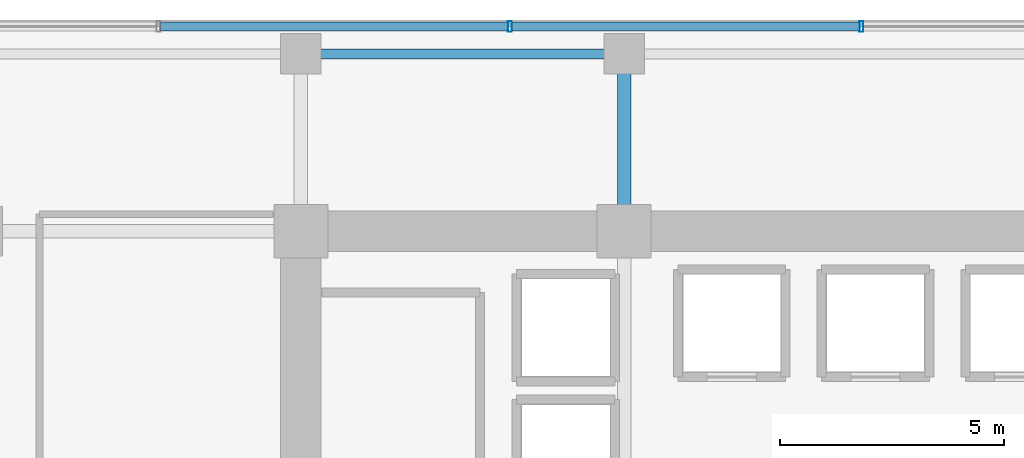
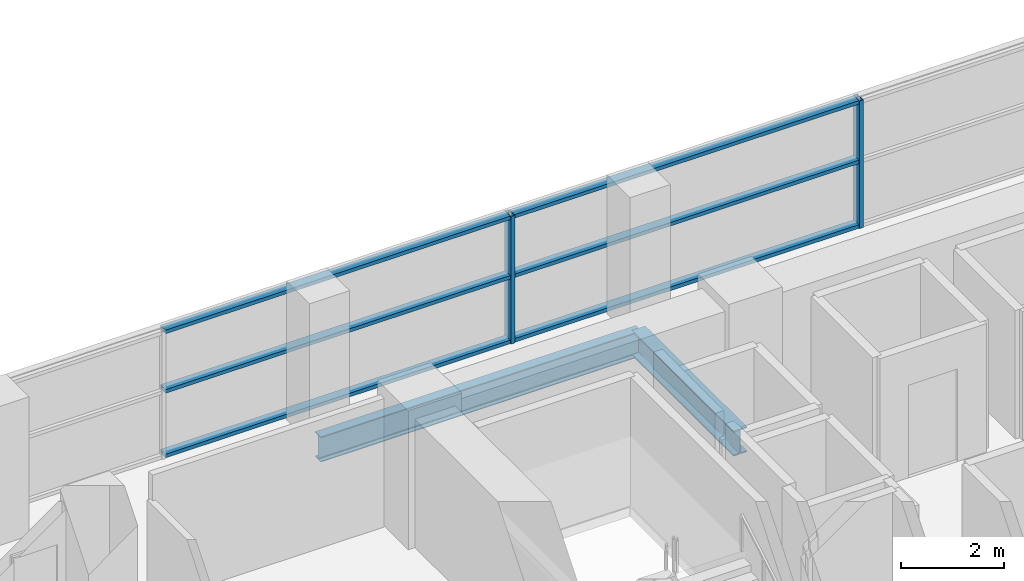
# One storey, part 14 of 27: 8 members, 2 beams, 1 element without a shape of its own.
"""IFC4 building model written with IfcOpenShell, lengths in metres."""

from ifc_helpers import new_model, si_unit, direction, frame, origin, origin_2d, place, context, subcontext, project, spatial, hollow_rectangle, i_section, extrude, source, transform, mapped, material, layer, layer_set, material_profile, profile_set, type_object, element, aggregate, save


model = new_model("IFC4")

# Units and contexts
model_context = context("Model", 3, precision=1e-05, world=origin(), true_north=direction((0.0, 1.0)))
body_context = subcontext(model_context, "Body", "Model", "MODEL_VIEW")
ifc_project = project(units=[si_unit("LENGTHUNIT", "METRE"), si_unit("AREAUNIT", "SQUARE_METRE"), si_unit("VOLUMEUNIT", "CUBIC_METRE"), si_unit("PLANEANGLEUNIT", "RADIAN"), si_unit("MASSUNIT", "GRAM", prefix="KILO")], contexts=[model_context])

# Site, building, storey
site_placement = place(None, origin())
site = spatial("IfcSite", under=ifc_project, at=site_placement, CompositionType="ELEMENT")
building_placement = place(site_placement, origin())
building = spatial("IfcBuilding", under=site, at=building_placement, Name="Zarnakvel Exchange Tower", CompositionType="ELEMENT")
storey_placement = place(building_placement, frame((0.0, 0.0, 76.89990234375)))
storey = spatial("IfcBuildingStorey", under=building, at=storey_placement, Name="L21", CompositionType="ELEMENT", Elevation=76.89990234375)

# Beams
ifc_material_1 = material(Name="Steel S355", Category="steel")
ifc_material_profile_1 = material_profile(ifc_material_1, i_section(OverallWidth=0.300048828125, OverallDepth=0.60009765625, WebThickness=0.015380859375, FlangeThickness=0.030029296875, FilletRadius=0.027099609375, at=origin_2d()))
ifc_profile_set_1 = profile_set([ifc_material_profile_1], Name="Steel S355")
beam_type_1 = type_object("IfcBeamType", Name="G-04", PredefinedType="BEAM", material=ifc_profile_set_1)
beam_1_placement = place(storey_placement, frame((-7.199951171875, 13.5, -0.52490234375), z_axis=(0.0, 1.0, 0.0), x_axis=(-1.0, 0.0, 0.0)))
element("IfcBeam", 1, at=beam_1_placement, inside=storey, type_object=beam_type_1, Name="L21 Tower N-S Frame Beam", PredefinedType="BEAM", context=body_context, shape_type="SweptSolid", body=[
    extrude(i_section(OverallWidth=0.300048828125, OverallDepth=0.60009765625, WebThickness=0.015380859375, FlangeThickness=0.030029296875, FilletRadius=0.027099609375, at=origin_2d()), origin(), (0.0, 0.0, 1.0), 3.949951171875),
])
ifc_material_profile_2 = material_profile(ifc_material_1, i_section(OverallWidth=0.219970703125, OverallDepth=0.60009765625, WebThickness=0.011962890625, FlangeThickness=0.01904296875, FilletRadius=0.02392578125, at=origin_2d()))
ifc_profile_set_2 = profile_set([ifc_material_profile_2], Name="Steel S355")
beam_type_2 = type_object("IfcBeamType", Name="SP-01", PredefinedType="SPANDREL", material=ifc_profile_set_2)
beam_2_placement = place(storey_placement, frame((-14.39990234375, 17.449951171875, -0.52490234375), z_axis=(1.0, 0.0, 0.0), x_axis=(0.0, 1.0, 0.0)))
element("IfcBeam", 2, at=beam_2_placement, inside=storey, type_object=beam_type_2, Name="L21 Tower E-W Frame Beam", PredefinedType="SPANDREL", context=body_context, shape_type="SweptSolid", body=[
    extrude(i_section(OverallWidth=0.219970703125, OverallDepth=0.60009765625, WebThickness=0.011962890625, FlangeThickness=0.01904296875, FilletRadius=0.02392578125, at=origin_2d()), origin(), (0.0, 0.0, 1.0), 7.199951171875),
])

# Curtain wall, members
ifc_material_2 = material(Name="Architectural Bronze Anodised Aluminium", Category="aluminium")
ifc_layer = layer(ifc_material_2, 0.239990234375)
ifc_layer_set = layer_set([ifc_layer], Name="Architectural Bronze Anodised Aluminium")
curtain_wall_type = type_object("IfcCurtainWallType", Name="CW-02", PredefinedType="NOTDEFINED", material=ifc_layer_set)
curtain_wall_placement = place(storey_placement, origin())
curtain_wall = element("IfcCurtainWall", 3, at=curtain_wall_placement, inside=storey, type_object=curtain_wall_type, Name="L21 Curtain Wall CW-L21-N1 (CW-02)", PredefinedType="NOTDEFINED")
ifc_material_profile_3 = material_profile(ifc_material_2, hollow_rectangle(XDim=0.199951171875, YDim=0.0849609375, WallThickness=0.0048828125, at=origin_2d()))
ifc_profile_set_3 = profile_set([ifc_material_profile_3], Name="Architectural Bronze Anodised Aluminium")
member_type_1 = type_object("IfcMemberType", Name="CWT-02", PredefinedType="USERDEFINED", material=ifc_profile_set_3)
shared_shape_1 = source(origin(), body_context, "Body", "SweptSolid", [
    extrude(hollow_rectangle(XDim=0.199951171875, YDim=0.0849609375, WallThickness=0.0048828125, at=origin_2d()), origin(), (0.0, 0.0, 1.0), 7.738525390625),
])
member_1_placement = place(storey_placement, frame((-17.5263671875, 18.06005859375, 0.04248046875), z_axis=(1.0, 0.0, 0.0), x_axis=(0.0, 1.0, 0.0)))
member_1 = element("IfcMember", 4, at=member_1_placement, type_object=member_type_1, Name="CW-02 transom 2.1", ObjectType="TRANSOM", PredefinedType="USERDEFINED", context=body_context, shape_type="MappedRepresentation", body=[
    mapped(shared_shape_1, transform((0.0, 0.0, 0.0), x_axis=(1.0, 0.0, 0.0), y_axis=(0.0, 1.0, 0.0), z_axis=(0.0, 0.0, 1.0), scale=1.0)),
])
member_2_placement = place(storey_placement, frame((-17.5263671875, 18.06005859375, 1.57568359375), z_axis=(1.0, 0.0, 0.0), x_axis=(0.0, 1.0, 0.0)))
member_2 = element("IfcMember", 5, at=member_2_placement, type_object=member_type_1, Name="CW-02 transom 2.2", ObjectType="TRANSOM", PredefinedType="USERDEFINED", context=body_context, shape_type="MappedRepresentation", body=[
    mapped(shared_shape_1, transform((0.0, 0.0, 0.0), x_axis=(1.0, 0.0, 0.0), y_axis=(0.0, 1.0, 0.0), z_axis=(0.0, 0.0, 1.0), scale=1.0)),
])
member_3_placement = place(storey_placement, frame((-17.5263671875, 18.06005859375, 2.987548828125), z_axis=(1.0, 0.0, 0.0), x_axis=(0.0, 1.0, 0.0)))
member_3 = element("IfcMember", 6, at=member_3_placement, type_object=member_type_1, Name="CW-02 transom 2.3", ObjectType="TRANSOM", PredefinedType="USERDEFINED", context=body_context, shape_type="MappedRepresentation", body=[
    mapped(shared_shape_1, transform((0.0, 0.0, 0.0), x_axis=(1.0, 0.0, 0.0), y_axis=(0.0, 1.0, 0.0), z_axis=(0.0, 0.0, 1.0), scale=1.0)),
])
member_4_placement = place(storey_placement, frame((-9.69775390625, 18.06005859375, 0.04248046875), z_axis=(1.0, 0.0, 0.0), x_axis=(0.0, 1.0, 0.0)))
member_4 = element("IfcMember", 7, at=member_4_placement, type_object=member_type_1, Name="CW-02 transom 3.1", ObjectType="TRANSOM", PredefinedType="USERDEFINED", context=body_context, shape_type="MappedRepresentation", body=[
    mapped(shared_shape_1, transform((0.0, 0.0, 0.0), x_axis=(1.0, 0.0, 0.0), y_axis=(0.0, 1.0, 0.0), z_axis=(0.0, 0.0, 1.0), scale=1.0)),
])
member_5_placement = place(storey_placement, frame((-9.69775390625, 18.06005859375, 1.57568359375), z_axis=(1.0, 0.0, 0.0), x_axis=(0.0, 1.0, 0.0)))
member_5 = element("IfcMember", 8, at=member_5_placement, type_object=member_type_1, Name="CW-02 transom 3.2", ObjectType="TRANSOM", PredefinedType="USERDEFINED", context=body_context, shape_type="MappedRepresentation", body=[
    mapped(shared_shape_1, transform((0.0, 0.0, 0.0), x_axis=(1.0, 0.0, 0.0), y_axis=(0.0, 1.0, 0.0), z_axis=(0.0, 0.0, 1.0), scale=1.0)),
])
member_6_placement = place(storey_placement, frame((-9.69775390625, 18.06005859375, 2.987548828125), z_axis=(1.0, 0.0, 0.0), x_axis=(0.0, 1.0, 0.0)))
member_6 = element("IfcMember", 9, at=member_6_placement, type_object=member_type_1, Name="CW-02 transom 3.3", ObjectType="TRANSOM", PredefinedType="USERDEFINED", context=body_context, shape_type="MappedRepresentation", body=[
    mapped(shared_shape_1, transform((0.0, 0.0, 0.0), x_axis=(1.0, 0.0, 0.0), y_axis=(0.0, 1.0, 0.0), z_axis=(0.0, 0.0, 1.0), scale=1.0)),
])
ifc_material_profile_4 = material_profile(ifc_material_2, hollow_rectangle(XDim=0.239990234375, YDim=0.090087890625, WallThickness=0.006103515625, at=origin_2d()))
ifc_profile_set_4 = profile_set([ifc_material_profile_4], Name="Architectural Bronze Anodised Aluminium")
member_type_2 = type_object("IfcMemberType", Name="CWM-02", PredefinedType="MULLION", material=ifc_profile_set_4)
shared_shape_2 = source(origin(), body_context, "Body", "SweptSolid", [
    extrude(hollow_rectangle(XDim=0.239990234375, YDim=0.090087890625, WallThickness=0.006103515625, at=origin_2d()), origin(), (0.0, 0.0, 1.0), 3.030029296875),
])
member_7_placement = place(storey_placement, frame((-9.742919921875, 18.06005859375, 0.0), z_axis=(0.0, 0.0, 1.0), x_axis=(0.0, 1.0, 0.0)))
member_7 = element("IfcMember", 10, at=member_7_placement, type_object=member_type_2, Name="CW-02 mullion 3", PredefinedType="MULLION", context=body_context, shape_type="MappedRepresentation", body=[
    mapped(shared_shape_2, transform((0.0, 0.0, 0.0), x_axis=(1.0, 0.0, 0.0), y_axis=(0.0, 1.0, 0.0), z_axis=(0.0, 0.0, 1.0), scale=1.0)),
])
member_8_placement = place(storey_placement, frame((-1.914306640625, 18.06005859375, 0.0), z_axis=(0.0, 0.0, 1.0), x_axis=(0.0, 1.0, 0.0)))
member_8 = element("IfcMember", 11, at=member_8_placement, type_object=member_type_2, Name="CW-02 mullion 4", PredefinedType="MULLION", context=body_context, shape_type="MappedRepresentation", body=[
    mapped(shared_shape_2, transform((0.0, 0.0, 0.0), x_axis=(1.0, 0.0, 0.0), y_axis=(0.0, 1.0, 0.0), z_axis=(0.0, 0.0, 1.0), scale=1.0)),
])
aggregate(curtain_wall, [member_7, member_8, member_1, member_2, member_3, member_4, member_5, member_6])

save(model, "model.ifc")
